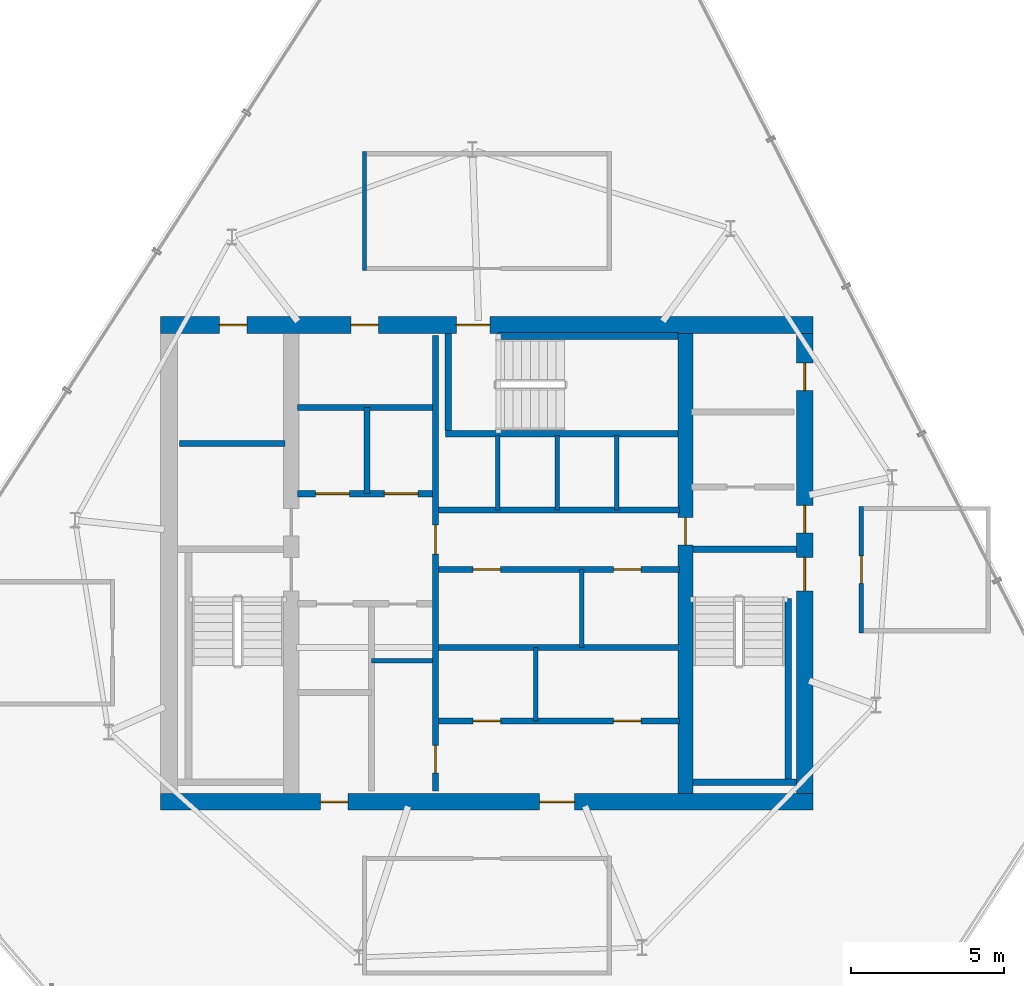
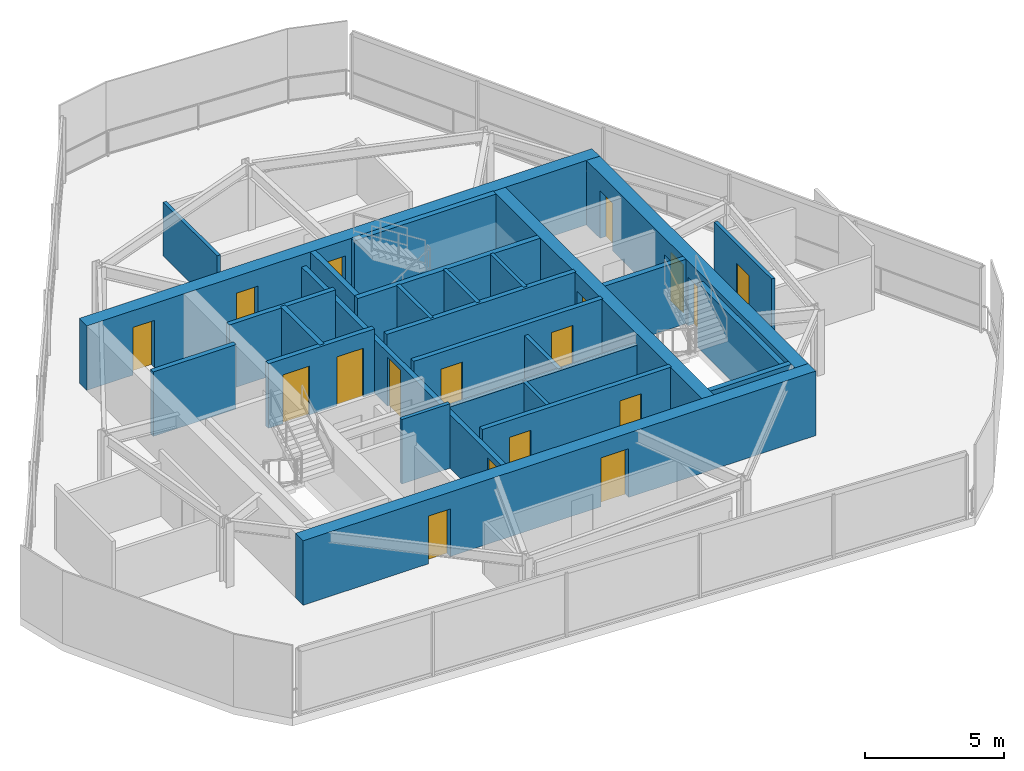
# One storey, part 14 of 16: 27 walls, 18 doors, 18 openings.
"""IFC4 building model written with IfcOpenShell, lengths in metres."""

from ifc_helpers import new_model, si_unit, direction, frame, frame_2d, origin, place, context, subcontext, project, spatial, rectangle, extrude, material, layer, layer_set, type_object, element, fill, save


model = new_model("IFC4")

# Units and contexts
model_context = context("Model", 3, precision=1e-05, world=origin(), true_north=direction((0.0, 1.0)))
body_context = subcontext(model_context, "Body", "Model", "MODEL_VIEW")
ifc_project = project(units=[si_unit("LENGTHUNIT", "METRE"), si_unit("AREAUNIT", "SQUARE_METRE"), si_unit("VOLUMEUNIT", "CUBIC_METRE"), si_unit("PLANEANGLEUNIT", "RADIAN"), si_unit("MASSUNIT", "GRAM", prefix="KILO")], contexts=[model_context])

# Site, building, storey
site_placement = place(None, origin())
site = spatial("IfcSite", under=ifc_project, at=site_placement, CompositionType="ELEMENT")
building_placement = place(site_placement, origin())
building = spatial("IfcBuilding", under=site, at=building_placement, Name="Qarnah Convention Tower", CompositionType="ELEMENT")
storey_placement = place(building_placement, frame((0.0, 0.0, 283.5)))
storey = spatial("IfcBuildingStorey", under=building, at=storey_placement, Name="L76", CompositionType="ELEMENT", Elevation=283.5)

# Wall, openings, doors
ifc_material_1 = material(Name="Concrete C60/75", Category="concrete")
ifc_layer_1 = layer(ifc_material_1, 0.550048828125)
ifc_layer_set_1 = layer_set([ifc_layer_1], Name="Concrete C60/75")
wall_type_1 = type_object("IfcWallType", Name="WL-CORE-550", PredefinedType="SHEAR", material=ifc_layer_set_1)
wall_1_placement = place(storey_placement, frame((26.52490234375, 18.60009765625, 0.0), z_axis=(0.0, 0.0, 1.0), x_axis=(1.0, 0.0, 0.0)))
wall_1 = element("IfcWall", 1, at=wall_1_placement, inside=storey, type_object=wall_type_1, Name="L76 core south shear wall", PredefinedType="SHEAR", context=body_context, shape_type="SweptSolid", body=[
    extrude(rectangle(XDim=21.35009765625, YDim=0.550048828125, at=frame_2d((10.675048828125, 0.0))), origin(), (0.0, 0.0, 1.0), 2.840087890625),
])
opening_1_placement = place(wall_1_placement, frame((12.39990234375, 0.0, 0.0)))
opening_1 = element("IfcOpeningElement", 2, at=opening_1_placement, cuts=wall_1, Name="Opening D-7607", PredefinedType="OPENING", context=body_context, shape_type="SweptSolid", body=[
    extrude(rectangle(XDim=1.14990234375, YDim=2.14990234375, at=frame_2d((0.574951171875, 1.074951171875))), frame((0.0, 0.284912109375, 0.0), z_axis=(0.0, -1.0, 0.0), x_axis=(1.0, 0.0, 0.0)), (0.0, 0.0, 1.0), 0.570068359375),
])
opening_2_placement = place(wall_1_placement, frame((5.22509765625, 0.0, 0.0)))
opening_2 = element("IfcOpeningElement", 3, at=opening_2_placement, cuts=wall_1, Name="Opening D-7613", PredefinedType="OPENING", context=body_context, shape_type="SweptSolid", body=[
    extrude(rectangle(XDim=0.89990234375, YDim=2.10009765625, at=frame_2d((0.449951171875, 1.050048828125))), frame((0.0, 0.284912109375, 0.0), z_axis=(0.0, -1.0, 0.0), x_axis=(1.0, 0.0, 0.0)), (0.0, 0.0, 1.0), 0.570068359375),
])
ifc_material_2 = material(Name="Structural steel S355JR", Category="steel")
door_type_1 = type_object("IfcDoorType", Name="DT-LOBBY-1150", OperationType="NOTDEFINED", PredefinedType="DOOR", material=ifc_material_2)
door_1_placement = place(opening_1_placement, origin())
door_1 = element("IfcDoor", 4, at=door_1_placement, inside=storey, type_object=door_type_1, Name="Door D-7607", OperationType="SINGLE_SWING_RIGHT", OverallHeight=2.14990234375, OverallWidth=1.14990234375, PredefinedType="DOOR", context=body_context, shape_type="SweptSolid", body=[
    extrude(rectangle(XDim=1.14990234375, YDim=2.14990234375, at=frame_2d((0.574951171875, 1.074951171875))), frame((0.0, 0.02490234375, 0.0), z_axis=(0.0, -1.0, 0.0), x_axis=(1.0, 0.0, 0.0)), (0.0, 0.0, 1.0), 0.050048828125),
])
fill(opening_1, door_1)
door_type_2 = type_object("IfcDoorType", Name="DT-RISER-900", OperationType="NOTDEFINED", PredefinedType="DOOR", material=ifc_material_2)
door_2_placement = place(opening_2_placement, origin())
door_2 = element("IfcDoor", 5, at=door_2_placement, inside=storey, type_object=door_type_2, Name="Door D-7613", OperationType="SINGLE_SWING_RIGHT", OverallHeight=2.10009765625, OverallWidth=0.89990234375, PredefinedType="DOOR", context=body_context, shape_type="SweptSolid", body=[
    extrude(rectangle(XDim=0.89990234375, YDim=2.10009765625, at=frame_2d((0.449951171875, 1.050048828125))), frame((0.0, 0.02490234375, 0.0), z_axis=(0.0, -1.0, 0.0), x_axis=(1.0, 0.0, 0.0)), (0.0, 0.0, 1.0), 0.050048828125),
])
fill(opening_2, door_2)

wall_2_placement = place(storey_placement, frame((26.52490234375, 34.199951171875, 0.0), z_axis=(0.0, 0.0, 1.0), x_axis=(1.0, 0.0, 0.0)))
wall_2 = element("IfcWall", 6, at=wall_2_placement, inside=storey, type_object=wall_type_1, Name="L76 core north shear wall", PredefinedType="SHEAR", context=body_context, shape_type="SweptSolid", body=[
    extrude(rectangle(XDim=21.35009765625, YDim=0.550048828125, at=frame_2d((10.675048828125, 0.0))), origin(), (0.0, 0.0, 1.0), 2.840087890625),
])
opening_3_placement = place(wall_2_placement, frame((9.675048828125, 0.0, 0.0)))
opening_3 = element("IfcOpeningElement", 7, at=opening_3_placement, cuts=wall_2, Name="Opening D-7603", PredefinedType="OPENING", context=body_context, shape_type="SweptSolid", body=[
    extrude(rectangle(XDim=1.10009765625, YDim=2.14990234375, at=frame_2d((0.550048828125, 1.074951171875))), frame((0.0, 0.284912109375, 0.0), z_axis=(0.0, -1.0, 0.0), x_axis=(1.0, 0.0, 0.0)), (0.0, 0.0, 1.0), 0.570068359375),
])
opening_4_placement = place(wall_2_placement, frame((1.925048828125, 0.0, 0.0)))
opening_4 = element("IfcOpeningElement", 8, at=opening_4_placement, cuts=wall_2, Name="Opening D-7609", PredefinedType="OPENING", context=body_context, shape_type="SweptSolid", body=[
    extrude(rectangle(XDim=0.89990234375, YDim=2.10009765625, at=frame_2d((0.449951171875, 1.050048828125))), frame((0.0, 0.284912109375, 0.0), z_axis=(0.0, -1.0, 0.0), x_axis=(1.0, 0.0, 0.0)), (0.0, 0.0, 1.0), 0.570068359375),
])
opening_5_placement = place(wall_2_placement, frame((6.22509765625, 0.0, 0.0)))
opening_5 = element("IfcOpeningElement", 9, at=opening_5_placement, cuts=wall_2, Name="Opening D-7610", PredefinedType="OPENING", context=body_context, shape_type="SweptSolid", body=[
    extrude(rectangle(XDim=0.89990234375, YDim=2.10009765625, at=frame_2d((0.449951171875, 1.050048828125))), frame((0.0, 0.284912109375, 0.0), z_axis=(0.0, -1.0, 0.0), x_axis=(1.0, 0.0, 0.0)), (0.0, 0.0, 1.0), 0.570068359375),
])
door_3_placement = place(opening_4_placement, origin())
door_3 = element("IfcDoor", 10, at=door_3_placement, inside=storey, type_object=door_type_2, Name="Door D-7609", OperationType="SINGLE_SWING_RIGHT", OverallHeight=2.10009765625, OverallWidth=0.89990234375, PredefinedType="DOOR", context=body_context, shape_type="SweptSolid", body=[
    extrude(rectangle(XDim=0.89990234375, YDim=2.10009765625, at=frame_2d((0.449951171875, 1.050048828125))), frame((0.0, 0.02490234375, 0.0), z_axis=(0.0, -1.0, 0.0), x_axis=(1.0, 0.0, 0.0)), (0.0, 0.0, 1.0), 0.050048828125),
])
fill(opening_4, door_3)
door_4_placement = place(opening_5_placement, origin())
door_4 = element("IfcDoor", 11, at=door_4_placement, inside=storey, type_object=door_type_2, Name="Door D-7610", OperationType="SINGLE_SWING_LEFT", OverallHeight=2.10009765625, OverallWidth=0.89990234375, PredefinedType="DOOR", context=body_context, shape_type="SweptSolid", body=[
    extrude(rectangle(XDim=0.89990234375, YDim=2.10009765625, at=frame_2d((0.449951171875, 1.050048828125))), frame((0.0, 0.02490234375, 0.0), z_axis=(0.0, -1.0, 0.0), x_axis=(1.0, 0.0, 0.0)), (0.0, 0.0, 1.0), 0.050048828125),
])
fill(opening_5, door_4)
door_type_3 = type_object("IfcDoorType", Name="DT-STAIR-1100", OperationType="NOTDEFINED", PredefinedType="DOOR", material=ifc_material_2)
door_5_placement = place(opening_3_placement, origin())
door_5 = element("IfcDoor", 12, at=door_5_placement, inside=storey, type_object=door_type_3, Name="Door D-7603", OperationType="SINGLE_SWING_RIGHT", OverallHeight=2.14990234375, OverallWidth=1.10009765625, PredefinedType="DOOR", context=body_context, shape_type="SweptSolid", body=[
    extrude(rectangle(XDim=1.10009765625, YDim=2.14990234375, at=frame_2d((0.550048828125, 1.074951171875))), frame((0.0, 0.02490234375, 0.0), z_axis=(0.0, -1.0, 0.0), x_axis=(1.0, 0.0, 0.0)), (0.0, 0.0, 1.0), 0.050048828125),
])
fill(opening_3, door_5)

wall_3_placement = place(storey_placement, frame((47.60009765625, 18.875, 0.0), z_axis=(0.0, 0.0, 1.0), x_axis=(0.0, 1.0, 0.0)))
wall_3 = element("IfcWall", 13, at=wall_3_placement, inside=storey, type_object=wall_type_1, Name="L76 core east shear wall", PredefinedType="SHEAR", context=body_context, shape_type="SweptSolid", body=[
    extrude(rectangle(XDim=15.050048828125, YDim=0.550048828125, at=frame_2d((7.52490234375, 0.0))), origin(), (0.0, 0.0, 1.0), 2.840087890625),
])
opening_6_placement = place(wall_3_placement, frame((6.625, 0.0, 0.0)))
opening_6 = element("IfcOpeningElement", 14, at=opening_6_placement, cuts=wall_3, Name="Opening D-7602", PredefinedType="OPENING", context=body_context, shape_type="SweptSolid", body=[
    extrude(rectangle(XDim=1.10009765625, YDim=2.14990234375, at=frame_2d((0.550048828125, 1.074951171875))), frame((0.0, 0.284912109375, 0.0), z_axis=(0.0, -1.0, 0.0), x_axis=(1.0, 0.0, 0.0)), (0.0, 0.0, 1.0), 0.570068359375),
])
opening_7_placement = place(wall_3_placement, frame((8.52490234375, 0.0, 0.0)))
opening_7 = element("IfcOpeningElement", 15, at=opening_7_placement, cuts=wall_3, Name="Opening D-7606", PredefinedType="OPENING", context=body_context, shape_type="SweptSolid", body=[
    extrude(rectangle(XDim=0.89990234375, YDim=2.10009765625, at=frame_2d((0.449951171875, 1.050048828125))), frame((0.0, 0.284912109375, 0.0), z_axis=(0.0, -1.0, 0.0), x_axis=(1.0, 0.0, 0.0)), (0.0, 0.0, 1.0), 0.570068359375),
])
opening_8_placement = place(wall_3_placement, frame((13.175048828125, 0.0, 0.0)))
opening_8 = element("IfcOpeningElement", 16, at=opening_8_placement, cuts=wall_3, Name="Opening D-7612", PredefinedType="OPENING", context=body_context, shape_type="SweptSolid", body=[
    extrude(rectangle(XDim=0.89990234375, YDim=2.10009765625, at=frame_2d((0.449951171875, 1.050048828125))), frame((0.0, 0.284912109375, 0.0), z_axis=(0.0, -1.0, 0.0), x_axis=(1.0, 0.0, 0.0)), (0.0, 0.0, 1.0), 0.570068359375),
])
door_6_placement = place(opening_7_placement, origin())
door_6 = element("IfcDoor", 17, at=door_6_placement, inside=storey, type_object=door_type_2, Name="Door D-7606", OperationType="SINGLE_SWING_LEFT", OverallHeight=2.10009765625, OverallWidth=0.89990234375, PredefinedType="DOOR", context=body_context, shape_type="SweptSolid", body=[
    extrude(rectangle(XDim=0.89990234375, YDim=2.10009765625, at=frame_2d((0.449951171875, 1.050048828125))), frame((0.0, 0.02490234375, 0.0), z_axis=(0.0, -1.0, 0.0), x_axis=(1.0, 0.0, 0.0)), (0.0, 0.0, 1.0), 0.050048828125),
])
fill(opening_7, door_6)
door_7_placement = place(opening_8_placement, origin())
door_7 = element("IfcDoor", 18, at=door_7_placement, inside=storey, type_object=door_type_2, Name="Door D-7612", OperationType="SINGLE_SWING_LEFT", OverallHeight=2.10009765625, OverallWidth=0.89990234375, PredefinedType="DOOR", context=body_context, shape_type="SweptSolid", body=[
    extrude(rectangle(XDim=0.89990234375, YDim=2.10009765625, at=frame_2d((0.449951171875, 1.050048828125))), frame((0.0, 0.02490234375, 0.0), z_axis=(0.0, -1.0, 0.0), x_axis=(1.0, 0.0, 0.0)), (0.0, 0.0, 1.0), 0.050048828125),
])
fill(opening_8, door_7)
door_8_placement = place(opening_6_placement, origin())
door_8 = element("IfcDoor", 19, at=door_8_placement, inside=storey, type_object=door_type_3, Name="Door D-7602", OperationType="SINGLE_SWING_LEFT", OverallHeight=2.14990234375, OverallWidth=1.10009765625, PredefinedType="DOOR", context=body_context, shape_type="SweptSolid", body=[
    extrude(rectangle(XDim=1.10009765625, YDim=2.14990234375, at=frame_2d((0.550048828125, 1.074951171875))), frame((0.0, 0.02490234375, 0.0), z_axis=(0.0, -1.0, 0.0), x_axis=(1.0, 0.0, 0.0)), (0.0, 0.0, 1.0), 0.050048828125),
])
fill(opening_6, door_8)

# Wall, opening, door
ifc_layer_2 = layer(ifc_material_1, 0.5)
ifc_layer_set_2 = layer_set([ifc_layer_2], Name="Concrete C60/75")
wall_type_2 = type_object("IfcWallType", Name="WL-CORE-INT-400", PredefinedType="SHEAR", material=ifc_layer_set_2)
wall_4_placement = place(storey_placement, frame((43.699951171875, 18.875, 0.0), z_axis=(0.0, 0.0, 1.0), x_axis=(0.0, 1.0, 0.0)))
wall_4 = element("IfcWall", 20, at=wall_4_placement, inside=storey, type_object=wall_type_2, Name="L76 core east spine shear wall", PredefinedType="SHEAR", context=body_context, shape_type="SweptSolid", body=[
    extrude(rectangle(XDim=15.050048828125, YDim=0.5, at=frame_2d((7.52490234375, 0.0))), origin(), (0.0, 0.0, 1.0), 2.840087890625),
])
opening_9_placement = place(wall_4_placement, frame((8.125, 0.0, 0.0)))
opening_9 = element("IfcOpeningElement", 21, at=opening_9_placement, cuts=wall_4, Name="Opening D-7605", PredefinedType="OPENING", context=body_context, shape_type="SweptSolid", body=[
    extrude(rectangle(XDim=0.89990234375, YDim=2.10009765625, at=frame_2d((0.449951171875, 1.050048828125))), frame((0.0, 0.260009765625, 0.0), z_axis=(0.0, -1.0, 0.0), x_axis=(1.0, 0.0, 0.0)), (0.0, 0.0, 1.0), 0.52001953125),
])
door_9_placement = place(opening_9_placement, origin())
door_9 = element("IfcDoor", 22, at=door_9_placement, inside=storey, type_object=door_type_2, Name="Door D-7605", OperationType="SINGLE_SWING_RIGHT", OverallHeight=2.10009765625, OverallWidth=0.89990234375, PredefinedType="DOOR", context=body_context, shape_type="SweptSolid", body=[
    extrude(rectangle(XDim=0.89990234375, YDim=2.10009765625, at=frame_2d((0.449951171875, 1.050048828125))), frame((0.0, 0.02490234375, 0.0), z_axis=(0.0, -1.0, 0.0), x_axis=(1.0, 0.0, 0.0)), (0.0, 0.0, 1.0), 0.050048828125),
])
fill(opening_9, door_9)

# Wall
ifc_material_3 = material(Name="Concrete C45/55", Category="concrete")
ifc_layer_3 = layer(ifc_material_3, 0.199951171875)
ifc_layer_set_3 = layer_set([ifc_layer_3], Name="Concrete C45/55")
wall_type_3 = type_object("IfcWallType", Name="WL-CORE-PART-200", PredefinedType="SOLIDWALL", material=ifc_layer_set_3)
wall_5_placement = place(storey_placement, frame((27.14990234375, 30.320068359375, 0.0), z_axis=(0.0, 0.0, 1.0), x_axis=(1.0, 0.0, 0.0)))
element("IfcWall", 23, at=wall_5_placement, inside=storey, type_object=wall_type_3, Name="L76 interior wall IW-L76-ELRN", PredefinedType="SOLIDWALL", context=body_context, shape_type="SweptSolid", body=[
    extrude(rectangle(XDim=3.4501953125, YDim=0.199951171875, at=frame_2d((1.72509765625, 0.0))), origin(), (0.0, 0.0, 1.0), 2.840087890625),
])

# Wall, openings, doors
wall_6_placement = place(storey_placement, frame((35.52001953125, 18.949951171875, 0.0), z_axis=(0.0, 0.0, 1.0), x_axis=(0.0, 1.0, 0.0)))
wall_6 = element("IfcWall", 24, at=wall_6_placement, inside=storey, type_object=wall_type_3, Name="L76 interior wall IW-L76-CSP", PredefinedType="SOLIDWALL", context=body_context, shape_type="SweptSolid", body=[
    extrude(rectangle(XDim=14.900146484375, YDim=0.199951171875, at=frame_2d((7.4501953125, 0.0))), origin(), (0.0, 0.0, 1.0), 2.361083984375),
])
opening_10_placement = place(wall_6_placement, frame((7.7548828125, 0.0, 0.0)))
opening_10 = element("IfcOpeningElement", 25, at=opening_10_placement, cuts=wall_6, Name="Opening D-7604", PredefinedType="OPENING", context=body_context, shape_type="SweptSolid", body=[
    extrude(rectangle(XDim=0.949951171875, YDim=2.14990234375, at=frame_2d((0.47509765625, 1.074951171875))), frame((0.0, 0.10986328125, 0.0), z_axis=(0.0, -1.0, 0.0), x_axis=(1.0, 0.0, 0.0)), (0.0, 0.0, 1.0), 0.219970703125),
])
opening_11_placement = place(wall_6_placement, frame((0.60009765625, 0.0, 0.0)))
opening_11 = element("IfcOpeningElement", 26, at=opening_11_placement, cuts=wall_6, Name="Opening D-7614", PredefinedType="OPENING", context=body_context, shape_type="SweptSolid", body=[
    extrude(rectangle(XDim=0.89990234375, YDim=2.10009765625, at=frame_2d((0.449951171875, 1.050048828125))), frame((0.0, 0.10986328125, 0.0), z_axis=(0.0, -1.0, 0.0), x_axis=(1.0, 0.0, 0.0)), (0.0, 0.0, 1.0), 0.219970703125),
])
ifc_material_4 = material(Name="Oak timber veneer", Category="wood")
door_type_4 = type_object("IfcDoorType", Name="DT-HOTEL-950", OperationType="NOTDEFINED", PredefinedType="DOOR", material=ifc_material_4)
door_10_placement = place(opening_10_placement, origin())
door_10 = element("IfcDoor", 27, at=door_10_placement, inside=storey, type_object=door_type_4, Name="Door D-7604", OperationType="SINGLE_SWING_LEFT", OverallHeight=2.14990234375, OverallWidth=0.949951171875, PredefinedType="DOOR", context=body_context, shape_type="SweptSolid", body=[
    extrude(rectangle(XDim=0.949951171875, YDim=2.14990234375, at=frame_2d((0.47509765625, 1.074951171875))), frame((0.0, 0.02490234375, 0.0), z_axis=(0.0, -1.0, 0.0), x_axis=(1.0, 0.0, 0.0)), (0.0, 0.0, 1.0), 0.050048828125),
])
fill(opening_10, door_10)
door_11_placement = place(opening_11_placement, origin())
door_11 = element("IfcDoor", 28, at=door_11_placement, inside=storey, type_object=door_type_2, Name="Door D-7614", OperationType="SINGLE_SWING_LEFT", OverallHeight=2.10009765625, OverallWidth=0.89990234375, PredefinedType="DOOR", context=body_context, shape_type="SweptSolid", body=[
    extrude(rectangle(XDim=0.89990234375, YDim=2.10009765625, at=frame_2d((0.449951171875, 1.050048828125))), frame((0.0, 0.02490234375, 0.0), z_axis=(0.0, -1.0, 0.0), x_axis=(1.0, 0.0, 0.0)), (0.0, 0.0, 1.0), 0.050048828125),
])
fill(opening_11, door_11)

wall_7_placement = place(storey_placement, frame((31.0, 28.679931640625, 0.0), z_axis=(0.0, 0.0, 1.0), x_axis=(1.0, 0.0, 0.0)))
wall_7 = element("IfcWall", 29, at=wall_7_placement, inside=storey, type_object=wall_type_3, Name="L76 interior wall IW-L76-FFLS", PredefinedType="SOLIDWALL", context=body_context, shape_type="SweptSolid", body=[
    extrude(rectangle(XDim=4.419921875, YDim=0.199951171875, at=frame_2d((2.2099609375, 0.0))), origin(), (0.0, 0.0, 1.0), 2.840087890625),
])
opening_12_placement = place(wall_7_placement, frame((0.60009765625, 0.0, 0.0)))
opening_12 = element("IfcOpeningElement", 30, at=opening_12_placement, cuts=wall_7, Name="Opening LD-7601", PredefinedType="OPENING", context=body_context, shape_type="SweptSolid", body=[
    extrude(rectangle(XDim=1.10009765625, YDim=2.14990234375, at=frame_2d((0.550048828125, 1.074951171875))), frame((0.0, 0.10986328125, 0.0), z_axis=(0.0, -1.0, 0.0), x_axis=(1.0, 0.0, 0.0)), (0.0, 0.0, 1.0), 0.219970703125),
])
opening_13_placement = place(wall_7_placement, frame((2.85009765625, 0.0, 0.0)))
opening_13 = element("IfcOpeningElement", 31, at=opening_13_placement, cuts=wall_7, Name="Opening LD-7602", PredefinedType="OPENING", context=body_context, shape_type="SweptSolid", body=[
    extrude(rectangle(XDim=1.10009765625, YDim=2.14990234375, at=frame_2d((0.550048828125, 1.074951171875))), frame((0.0, 0.10986328125, 0.0), z_axis=(0.0, -1.0, 0.0), x_axis=(1.0, 0.0, 0.0)), (0.0, 0.0, 1.0), 0.219970703125),
])
door_type_5 = type_object("IfcDoorType", Name="DT-LIFT-1100", OperationType="SLIDING_TO_LEFT", PredefinedType="DOOR", material=ifc_material_2)
door_12_placement = place(opening_12_placement, origin())
door_12 = element("IfcDoor", 32, at=door_12_placement, inside=storey, type_object=door_type_5, Name="Door LD-7601", OperationType="SLIDING_TO_LEFT", OverallHeight=2.14990234375, OverallWidth=1.10009765625, PredefinedType="DOOR", context=body_context, shape_type="SweptSolid", body=[
    extrude(rectangle(XDim=1.10009765625, YDim=2.14990234375, at=frame_2d((0.550048828125, 1.074951171875))), frame((0.0, 0.02490234375, 0.0), z_axis=(0.0, -1.0, 0.0), x_axis=(1.0, 0.0, 0.0)), (0.0, 0.0, 1.0), 0.050048828125),
])
fill(opening_12, door_12)
door_13_placement = place(opening_13_placement, origin())
door_13 = element("IfcDoor", 33, at=door_13_placement, inside=storey, type_object=door_type_5, Name="Door LD-7602", OperationType="SLIDING_TO_LEFT", OverallHeight=2.14990234375, OverallWidth=1.10009765625, PredefinedType="DOOR", context=body_context, shape_type="SweptSolid", body=[
    extrude(rectangle(XDim=1.10009765625, YDim=2.14990234375, at=frame_2d((0.550048828125, 1.074951171875))), frame((0.0, 0.02490234375, 0.0), z_axis=(0.0, -1.0, 0.0), x_axis=(1.0, 0.0, 0.0)), (0.0, 0.0, 1.0), 0.050048828125),
])
fill(opening_13, door_13)

# Walls
wall_8_placement = place(storey_placement, frame((31.0, 31.5, 0.0), z_axis=(0.0, 0.0, 1.0), x_axis=(1.0, 0.0, 0.0)))
element("IfcWall", 34, at=wall_8_placement, inside=storey, type_object=wall_type_3, Name="L76 interior wall IW-L76-FFLN", PredefinedType="SOLIDWALL", context=body_context, shape_type="SweptSolid", body=[
    extrude(rectangle(XDim=4.419921875, YDim=0.199951171875, at=frame_2d((2.2099609375, 0.0))), origin(), (0.0, 0.0, 1.0), 2.840087890625),
])
wall_9_placement = place(storey_placement, frame((33.280029296875, 28.679931640625, 0.0), z_axis=(0.0, 0.0, 1.0), x_axis=(0.0, 1.0, 0.0)))
element("IfcWall", 35, at=wall_9_placement, inside=storey, type_object=wall_type_3, Name="L76 interior wall IW-L76-FFLM", PredefinedType="SOLIDWALL", context=body_context, shape_type="SweptSolid", body=[
    extrude(rectangle(XDim=2.820068359375, YDim=0.199951171875, at=frame_2d((1.41015625, 0.0))), origin(), (0.0, 0.0, 1.0), 2.840087890625),
])
wall_10_placement = place(storey_placement, frame((35.6201171875, 28.14990234375, 0.0), z_axis=(0.0, 0.0, 1.0), x_axis=(1.0, 0.0, 0.0)))
element("IfcWall", 36, at=wall_10_placement, inside=storey, type_object=wall_type_3, Name="L76 interior wall IW-L76-PHS", PredefinedType="SOLIDWALL", context=body_context, shape_type="SweptSolid", body=[
    extrude(rectangle(XDim=7.8798828125, YDim=0.199951171875, at=frame_2d((3.93994140625, 0.0))), origin(), (0.0, 0.0, 1.0), 2.840087890625),
])

# Wall, openings, doors
wall_11_placement = place(storey_placement, frame((35.6201171875, 26.199951171875, 0.0), z_axis=(0.0, 0.0, 1.0), x_axis=(1.0, 0.0, 0.0)))
wall_11 = element("IfcWall", 37, at=wall_11_placement, inside=storey, type_object=wall_type_3, Name="L76 interior wall IW-L76-PMN", PredefinedType="SOLIDWALL", context=body_context, shape_type="SweptSolid", body=[
    extrude(rectangle(XDim=7.8798828125, YDim=0.199951171875, at=frame_2d((3.93994140625, 0.0))), origin(), (0.0, 0.0, 1.0), 2.840087890625),
])
opening_14_placement = place(wall_11_placement, frame((1.1298828125, 0.0, 0.0)))
opening_14 = element("IfcOpeningElement", 38, at=opening_14_placement, cuts=wall_11, Name="Opening D-7618", PredefinedType="OPENING", context=body_context, shape_type="SweptSolid", body=[
    extrude(rectangle(XDim=0.89990234375, YDim=2.10009765625, at=frame_2d((0.449951171875, 1.050048828125))), frame((0.0, 0.10986328125, 0.0), z_axis=(0.0, -1.0, 0.0), x_axis=(1.0, 0.0, 0.0)), (0.0, 0.0, 1.0), 0.219970703125),
])
opening_15_placement = place(wall_11_placement, frame((5.72998046875, 0.0, 0.0)))
opening_15 = element("IfcOpeningElement", 39, at=opening_15_placement, cuts=wall_11, Name="Opening D-7619", PredefinedType="OPENING", context=body_context, shape_type="SweptSolid", body=[
    extrude(rectangle(XDim=0.89990234375, YDim=2.10009765625, at=frame_2d((0.449951171875, 1.050048828125))), frame((0.0, 0.10986328125, 0.0), z_axis=(0.0, -1.0, 0.0), x_axis=(1.0, 0.0, 0.0)), (0.0, 0.0, 1.0), 0.219970703125),
])
door_14_placement = place(opening_14_placement, origin())
door_14 = element("IfcDoor", 40, at=door_14_placement, inside=storey, type_object=door_type_2, Name="Door D-7618", OperationType="SINGLE_SWING_LEFT", OverallHeight=2.10009765625, OverallWidth=0.89990234375, PredefinedType="DOOR", context=body_context, shape_type="SweptSolid", body=[
    extrude(rectangle(XDim=0.89990234375, YDim=2.10009765625, at=frame_2d((0.449951171875, 1.050048828125))), frame((0.0, 0.02490234375, 0.0), z_axis=(0.0, -1.0, 0.0), x_axis=(1.0, 0.0, 0.0)), (0.0, 0.0, 1.0), 0.050048828125),
])
fill(opening_14, door_14)
door_15_placement = place(opening_15_placement, origin())
door_15 = element("IfcDoor", 41, at=door_15_placement, inside=storey, type_object=door_type_2, Name="Door D-7619", OperationType="SINGLE_SWING_RIGHT", OverallHeight=2.10009765625, OverallWidth=0.89990234375, PredefinedType="DOOR", context=body_context, shape_type="SweptSolid", body=[
    extrude(rectangle(XDim=0.89990234375, YDim=2.10009765625, at=frame_2d((0.449951171875, 1.050048828125))), frame((0.0, 0.02490234375, 0.0), z_axis=(0.0, -1.0, 0.0), x_axis=(1.0, 0.0, 0.0)), (0.0, 0.0, 1.0), 0.050048828125),
])
fill(opening_15, door_15)

# Wall
wall_12_placement = place(storey_placement, frame((35.6201171875, 23.64990234375, 0.0), z_axis=(0.0, 0.0, 1.0), x_axis=(1.0, 0.0, 0.0)))
element("IfcWall", 42, at=wall_12_placement, inside=storey, type_object=wall_type_3, Name="L76 interior wall IW-L76-PMPL", PredefinedType="SOLIDWALL", context=body_context, shape_type="SweptSolid", body=[
    extrude(rectangle(XDim=7.8798828125, YDim=0.199951171875, at=frame_2d((3.93994140625, 0.0))), origin(), (0.0, 0.0, 1.0), 2.361083984375),
])

# Wall, openings, doors
wall_13_placement = place(storey_placement, frame((35.6201171875, 21.25, 0.0), z_axis=(0.0, 0.0, 1.0), x_axis=(1.0, 0.0, 0.0)))
wall_13 = element("IfcWall", 43, at=wall_13_placement, inside=storey, type_object=wall_type_3, Name="L76 interior wall IW-L76-PLS", PredefinedType="SOLIDWALL", context=body_context, shape_type="SweptSolid", body=[
    extrude(rectangle(XDim=7.8798828125, YDim=0.199951171875, at=frame_2d((3.93994140625, 0.0))), origin(), (0.0, 0.0, 1.0), 2.840087890625),
])
opening_16_placement = place(wall_13_placement, frame((1.1298828125, 0.0, 0.0)))
opening_16 = element("IfcOpeningElement", 44, at=opening_16_placement, cuts=wall_13, Name="Opening D-7616", PredefinedType="OPENING", context=body_context, shape_type="SweptSolid", body=[
    extrude(rectangle(XDim=0.89990234375, YDim=2.10009765625, at=frame_2d((0.449951171875, 1.050048828125))), frame((0.0, 0.10986328125, 0.0), z_axis=(0.0, -1.0, 0.0), x_axis=(1.0, 0.0, 0.0)), (0.0, 0.0, 1.0), 0.219970703125),
])
opening_17_placement = place(wall_13_placement, frame((5.72998046875, 0.0, 0.0)))
opening_17 = element("IfcOpeningElement", 45, at=opening_17_placement, cuts=wall_13, Name="Opening D-7617", PredefinedType="OPENING", context=body_context, shape_type="SweptSolid", body=[
    extrude(rectangle(XDim=0.89990234375, YDim=2.10009765625, at=frame_2d((0.449951171875, 1.050048828125))), frame((0.0, 0.10986328125, 0.0), z_axis=(0.0, -1.0, 0.0), x_axis=(1.0, 0.0, 0.0)), (0.0, 0.0, 1.0), 0.219970703125),
])
door_16_placement = place(opening_16_placement, origin())
door_16 = element("IfcDoor", 46, at=door_16_placement, inside=storey, type_object=door_type_2, Name="Door D-7616", OperationType="SINGLE_SWING_LEFT", OverallHeight=2.10009765625, OverallWidth=0.89990234375, PredefinedType="DOOR", context=body_context, shape_type="SweptSolid", body=[
    extrude(rectangle(XDim=0.89990234375, YDim=2.10009765625, at=frame_2d((0.449951171875, 1.050048828125))), frame((0.0, 0.02490234375, 0.0), z_axis=(0.0, -1.0, 0.0), x_axis=(1.0, 0.0, 0.0)), (0.0, 0.0, 1.0), 0.050048828125),
])
fill(opening_16, door_16)
door_17_placement = place(opening_17_placement, origin())
door_17 = element("IfcDoor", 47, at=door_17_placement, inside=storey, type_object=door_type_2, Name="Door D-7617", OperationType="SINGLE_SWING_RIGHT", OverallHeight=2.10009765625, OverallWidth=0.89990234375, PredefinedType="DOOR", context=body_context, shape_type="SweptSolid", body=[
    extrude(rectangle(XDim=0.89990234375, YDim=2.10009765625, at=frame_2d((0.449951171875, 1.050048828125))), frame((0.0, 0.02490234375, 0.0), z_axis=(0.0, -1.0, 0.0), x_axis=(1.0, 0.0, 0.0)), (0.0, 0.0, 1.0), 0.050048828125),
])
fill(opening_17, door_17)

# Walls
ifc_layer_4 = layer(ifc_material_1, 0.219970703125)
ifc_layer_set_4 = layer_set([ifc_layer_4], Name="Concrete C60/75")
wall_type_4 = type_object("IfcWallType", Name="WL-CORE-STAIR-220", PredefinedType="SHEAR", material=ifc_layer_set_4)
wall_14_placement = place(storey_placement, frame((43.949951171875, 26.860107421875, 0.0), z_axis=(0.0, 0.0, 1.0), x_axis=(1.0, 0.0, 0.0)))
element("IfcWall", 48, at=wall_14_placement, inside=storey, type_object=wall_type_4, Name="L76 stair shaft shear wall SW-L76-ST2N", PredefinedType="SHEAR", context=body_context, shape_type="SweptSolid", body=[
    extrude(rectangle(XDim=3.375, YDim=0.219970703125, at=frame_2d((1.6875, 0.0))), origin(), (0.0, 0.0, 1.0), 2.840087890625),
])
wall_15_placement = place(storey_placement, frame((47.06005859375, 19.35009765625, 0.0), z_axis=(0.0, 0.0, 1.0), x_axis=(0.0, 1.0, 0.0)))
element("IfcWall", 49, at=wall_15_placement, inside=storey, type_object=wall_type_4, Name="L76 stair shaft shear wall SW-L76-ST2E", PredefinedType="SHEAR", context=body_context, shape_type="SweptSolid", body=[
    extrude(rectangle(XDim=5.89990234375, YDim=0.219970703125, at=frame_2d((2.949951171875, 0.0))), origin(), (0.0, 0.0, 1.0), 2.840087890625),
])
wall_16_placement = place(storey_placement, frame((43.949951171875, 19.239990234375, 0.0), z_axis=(0.0, 0.0, 1.0), x_axis=(1.0, 0.0, 0.0)))
element("IfcWall", 50, at=wall_16_placement, inside=storey, type_object=wall_type_4, Name="L76 stair shaft shear wall SW-L76-ST2S", PredefinedType="SHEAR", context=body_context, shape_type="SweptSolid", body=[
    extrude(rectangle(XDim=3.375, YDim=0.219970703125, at=frame_2d((1.6875, 0.0))), origin(), (0.0, 0.0, 1.0), 2.840087890625),
])
wall_17_placement = place(storey_placement, frame((35.840087890625, 30.639892578125, 0.0), z_axis=(0.0, 0.0, 1.0), x_axis=(1.0, 0.0, 0.0)))
element("IfcWall", 51, at=wall_17_placement, inside=storey, type_object=wall_type_4, Name="L76 stair shaft shear wall SW-L76-ST3S", PredefinedType="SHEAR", context=body_context, shape_type="SweptSolid", body=[
    extrude(rectangle(XDim=7.60986328125, YDim=0.219970703125, at=frame_2d((3.804931640625, 0.0))), origin(), (0.0, 0.0, 1.0), 2.840087890625),
])
wall_18_placement = place(storey_placement, frame((35.93994140625, 30.75, 0.0), z_axis=(0.0, 0.0, 1.0), x_axis=(0.0, 1.0, 0.0)))
element("IfcWall", 52, at=wall_18_placement, inside=storey, type_object=wall_type_4, Name="L76 stair shaft shear wall SW-L76-ST3W", PredefinedType="SHEAR", context=body_context, shape_type="SweptSolid", body=[
    extrude(rectangle(XDim=3.175048828125, YDim=0.219970703125, at=frame_2d((1.58740234375, 0.0))), origin(), (0.0, 0.0, 1.0), 2.840087890625),
])
wall_19_placement = place(storey_placement, frame((37.550048828125, 33.840087890625, 0.0), z_axis=(0.0, 0.0, 1.0), x_axis=(1.0, 0.0, 0.0)))
element("IfcWall", 53, at=wall_19_placement, inside=storey, type_object=wall_type_4, Name="L76 stair shaft shear wall SW-L76-ST3N", PredefinedType="SHEAR", context=body_context, shape_type="SweptSolid", body=[
    extrude(rectangle(XDim=5.89990234375, YDim=0.219970703125, at=frame_2d((2.949951171875, 0.0))), origin(), (0.0, 0.0, 1.0), 2.840087890625),
])
ifc_material_5 = material(Name="Gypsum partition board")
ifc_layer_5 = layer(ifc_material_5, 0.14990234375)
ifc_layer_set_5 = layer_set([ifc_layer_5], Name="Gypsum partition board")
wall_type_5 = type_object("IfcWallType", Name="WL-SUITE-150", PredefinedType="PARTITIONING", material=ifc_layer_set_5)
wall_20_placement = place(storey_placement, frame((33.419921875, 23.219970703125, 0.0), z_axis=(0.0, 0.0, 1.0), x_axis=(1.0, 0.0, 0.0)))
element("IfcWall", 54, at=wall_20_placement, inside=storey, type_object=wall_type_5, Name="L76 interior wall IW-L76-CSV1", PredefinedType="PARTITIONING", context=body_context, shape_type="SweptSolid", body=[
    extrude(rectangle(XDim=2.0, YDim=0.14990234375, at=frame_2d((1.0, 0.0))), origin(), (0.0, 0.0, 1.0), 2.840087890625),
])
for number, where, z_axis, x_axis, name in (
    (55, (37.550048828125, 28.14990234375, 0.0), (0.0, 0.0, 1.0), (0.0, 1.0, 0.0), "L76 interior wall IW-L76-PHD1"),
    (56, (39.5, 28.14990234375, 0.0), (0.0, 0.0, 1.0), (0.0, 1.0, 0.0), "L76 interior wall IW-L76-PHD2"),
    (57, (41.449951171875, 28.14990234375, 0.0), (0.0, 0.0, 1.0), (0.0, 1.0, 0.0), "L76 interior wall IW-L76-PHD3"),
):
    element("IfcWall", number, at=place(storey_placement, frame(where, z_axis=z_axis, x_axis=x_axis)), inside=storey, type_object=wall_type_5, Name=name, PredefinedType="PARTITIONING", context=body_context, shape_type="SweptSolid", body=[
        extrude(rectangle(XDim=2.43017578125, YDim=0.14990234375, at=frame_2d((1.215087890625, 0.0))), origin(), (0.0, 0.0, 1.0), 2.840087890625),
    ])
wall_21_placement = place(storey_placement, frame((40.300048828125, 23.64990234375, 0.0), z_axis=(0.0, 0.0, 1.0), x_axis=(0.0, 1.0, 0.0)))
element("IfcWall", 58, at=wall_21_placement, inside=storey, type_object=wall_type_5, Name="L76 interior wall IW-L76-PMFD", PredefinedType="PARTITIONING", context=body_context, shape_type="SweptSolid", body=[
    extrude(rectangle(XDim=2.550048828125, YDim=0.14990234375, at=frame_2d((1.27490234375, 0.0))), origin(), (0.0, 0.0, 1.0), 2.361083984375),
])
wall_22_placement = place(storey_placement, frame((38.800048828125, 21.25, 0.0), z_axis=(0.0, 0.0, 1.0), x_axis=(0.0, 1.0, 0.0)))
element("IfcWall", 59, at=wall_22_placement, inside=storey, type_object=wall_type_5, Name="L76 interior wall IW-L76-PLFD", PredefinedType="PARTITIONING", context=body_context, shape_type="SweptSolid", body=[
    extrude(rectangle(XDim=2.39990234375, YDim=0.14990234375, at=frame_2d((1.199951171875, 0.0))), origin(), (0.0, 0.0, 1.0), 2.361083984375),
])

# Wall, opening, door
ifc_layer_6 = layer(ifc_material_5, 0.139892578125)
ifc_layer_set_6 = layer_set([ifc_layer_6], Name="Gypsum partition board")
wall_type_6 = type_object("IfcWallType", Name="WL-WET-140", PredefinedType="PARTITIONING", material=ifc_layer_set_6)
wall_23_placement = place(storey_placement, frame((49.449951171875, 28.27001953125, 0.0), z_axis=(0.0, 0.0, 1.0), x_axis=(0.0, -1.0, 0.0)))
wall_23 = element("IfcWall", 60, at=wall_23_placement, inside=storey, type_object=wall_type_6, Name="L76 interior wall IW-L76-SWGP-4", PredefinedType="PARTITIONING", context=body_context, shape_type="SweptSolid", body=[
    extrude(rectangle(XDim=4.14013671875, YDim=0.139892578125, at=frame_2d((2.070068359375, 0.0))), origin(), (0.0, 0.0, 1.0), 2.840087890625),
])
opening_18_placement = place(wall_23_placement, frame((1.6201171875, 0.0, 0.0)))
opening_18 = element("IfcOpeningElement", 61, at=opening_18_placement, cuts=wall_23, Name="Opening D-7621", PredefinedType="OPENING", context=body_context, shape_type="SweptSolid", body=[
    extrude(rectangle(XDim=0.89990234375, YDim=2.0, at=frame_2d((0.449951171875, 1.0))), frame((0.0, 0.079833984375, 0.0), z_axis=(0.0, -1.0, 0.0), x_axis=(1.0, 0.0, 0.0)), (0.0, 0.0, 1.0), 0.159912109375),
])
door_type_6 = type_object("IfcDoorType", Name="DT-PLANT-900", OperationType="NOTDEFINED", PredefinedType="DOOR", material=ifc_material_2)
door_18_placement = place(opening_18_placement, origin())
door_18 = element("IfcDoor", 62, at=door_18_placement, inside=storey, type_object=door_type_6, Name="Door D-7621", OperationType="SINGLE_SWING_RIGHT", OverallHeight=2.0, OverallWidth=0.89990234375, PredefinedType="DOOR", context=body_context, shape_type="SweptSolid", body=[
    extrude(rectangle(XDim=0.89990234375, YDim=2.0, at=frame_2d((0.449951171875, 1.0))), frame((0.0, 0.02490234375, 0.0), z_axis=(0.0, -1.0, 0.0), x_axis=(1.0, 0.0, 0.0)), (0.0, 0.0, 1.0), 0.050048828125),
])
fill(opening_18, door_18)

# Wall
wall_24_placement = place(storey_placement, frame((33.199951171875, 39.8701171875, 0.0), z_axis=(0.0, 0.0, 1.0), x_axis=(0.0, -1.0, 0.0)))
element("IfcWall", 63, at=wall_24_placement, inside=storey, type_object=wall_type_6, Name="L76 interior wall IW-L76-AHUP-4", PredefinedType="PARTITIONING", context=body_context, shape_type="SweptSolid", body=[
    extrude(rectangle(XDim=3.89013671875, YDim=0.139892578125, at=frame_2d((1.945068359375, 0.0))), origin(), (0.0, 0.0, 1.0), 2.364990234375),
])

save(model, "model.ifc")
